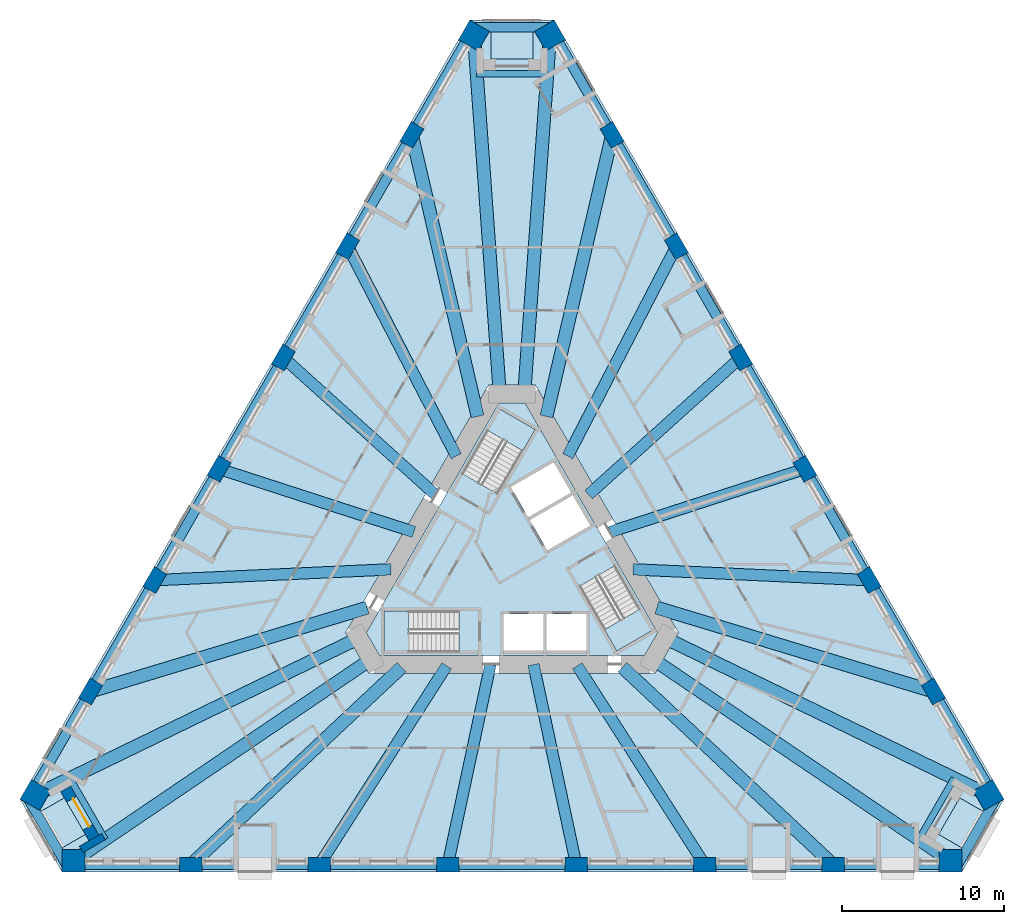
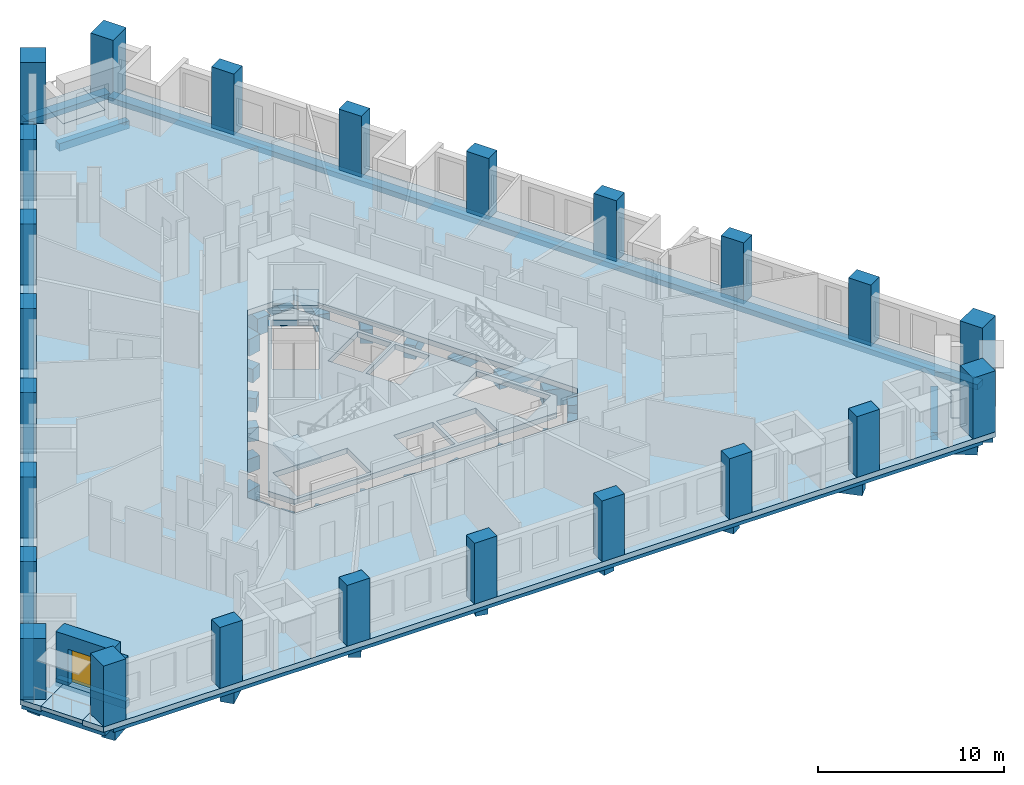
# One storey, part 1 of 14: 33 beams, 24 columns, 8 slabs, 2 walls, 1 door, 1 opening, 3 elements without a shape of their own.
"""IFC4 building model written with IfcOpenShell, lengths in metres."""

from ifc_helpers import new_model, si_unit, direction, frame, frame_2d, origin, origin_2d, place, context, subcontext, project, spatial, polyline, rectangle, outline, extrude, material, layer, layer_set, material_profile, profile_set, type_object, element, fill, aggregate, save


model = new_model("IFC4")

# Units and contexts
model_context = context("Model", 3, precision=1e-05, world=origin(), true_north=direction((0.0, 1.0)))
body_context = subcontext(model_context, "Body", "Model", "MODEL_VIEW")
ifc_project = project(units=[si_unit("LENGTHUNIT", "METRE"), si_unit("AREAUNIT", "SQUARE_METRE"), si_unit("VOLUMEUNIT", "CUBIC_METRE"), si_unit("PLANEANGLEUNIT", "RADIAN"), si_unit("MASSUNIT", "GRAM", prefix="KILO")], contexts=[model_context])

# Site, building, storey
site_placement = place(None, origin())
site = spatial("IfcSite", under=ifc_project, at=site_placement, CompositionType="ELEMENT")
building_placement = place(site_placement, origin())
building = spatial("IfcBuilding", under=site, at=building_placement, Name="Tramontana Tower", CompositionType="ELEMENT")
storey_placement = place(building_placement, frame((0.0, 0.0, 42.0)))
storey = spatial("IfcBuildingStorey", under=building, at=storey_placement, Name="L08", CompositionType="ELEMENT", Elevation=42.0)

# Columns
ifc_material_1 = material(Name="Concrete 70 MPa", Category="concrete")
ifc_material_profile_1 = material_profile(ifc_material_1, rectangle(XDim=1.39990234375, YDim=1.39990234375, at=origin_2d()), Name="Mega column 1400X1400 70 MPa")
ifc_profile_set_1 = profile_set([ifc_material_profile_1], Name="Concrete 70 MPa")
column_type_1 = type_object("IfcColumnType", Name="Mega column 1400X1400 70 MPa", PredefinedType="COLUMN", material=ifc_profile_set_1)
for number, where, z_axis, x_axis, name in (
    (1, (-2.341796875, 32.543701171875, 0.0), (0.0, 0.0, 1.0), (-0.5, -0.866025403784, 0.0), "Mega column C0K1 L08"),
    (2, (-29.354736328125, -14.243896484375, 0.0), (0.0, 0.0, 1.0), (-0.5, -0.866025403784, 0.0), "Mega column C0K2 L08"),
    (3, (-27.0126953125, -18.300048828125, 0.0), (0.0, 0.0, 1.0), (1.0, 0.0, 0.0), "Mega column C0K3 L08"),
    (4, (27.0126953125, -18.300048828125, 0.0), (0.0, 0.0, 1.0), (1.0, 0.0, 0.0), "Mega column C0K4 L08"),
    (5, (29.354736328125, -14.243896484375, 0.0), (0.0, 0.0, 1.0), (-0.5, 0.866025403784, 0.0), "Mega column C0K5 L08"),
    (6, (2.341796875, 32.543701171875, 0.0), (0.0, 0.0, 1.0), (-0.5, 0.866025403784, 0.0), "Mega column C0K6 L08"),
):
    element("IfcColumn", number, at=place(storey_placement, frame(where, z_axis=z_axis, x_axis=x_axis)), inside=storey, type_object=column_type_1, Name=name, PredefinedType="COLUMN", context=body_context, shape_type="SweptSolid", body=[
        extrude(rectangle(XDim=1.39990234375, YDim=1.39990234375, at=origin_2d()), origin(), (0.0, 0.0, 1.0), 4.0),
    ])
ifc_material_2 = material(Name="Concrete 55 MPa", Category="concrete")
ifc_material_profile_2 = material_profile(ifc_material_2, rectangle(XDim=1.39990234375, YDim=0.89990234375, at=origin_2d()), Name="Pier column 1400X900 55 MPa")
ifc_profile_set_2 = profile_set([ifc_material_profile_2], Name="Concrete 55 MPa")
column_type_2 = type_object("IfcColumnType", Name="Pier column 1400X900 55 MPa", PredefinedType="COLUMN", material=ifc_profile_set_2)
for number, where, z_axis, x_axis, name in (
    (7, (-6.167236328125, 26.41796875, 0.0), (0.0, 0.0, 1.0), (-0.5, -0.866025403784, 0.0), "Pier column C0F01 L08"),
    (8, (-10.126220703125, 19.560791015625, 0.0), (0.0, 0.0, 1.0), (-0.5, -0.866025403784, 0.0), "Pier column C0F02 L08"),
    (9, (-14.085205078125, 12.70361328125, 0.0), (0.0, 0.0, 1.0), (-0.5, -0.866025403784, 0.0), "Pier column C0F03 L08"),
    (10, (-18.044189453125, 5.846435546875, 0.0), (0.0, 0.0, 1.0), (-0.5, -0.866025403784, 0.0), "Pier column C0F04 L08"),
    (11, (-22.003173828125, -1.0107421875, 0.0), (0.0, 0.0, 1.0), (-0.5, -0.866025403784, 0.0), "Pier column C0F05 L08"),
    (12, (-25.962158203125, -7.867919921875, 0.0), (0.0, 0.0, 1.0), (-0.5, -0.866025403784, 0.0), "Pier column C0F06 L08"),
    (13, (-19.794921875, -18.550048828125, 0.0), (0.0, 0.0, 1.0), (1.0, 0.0, 0.0), "Pier column C0F07 L08"),
    (14, (-11.876953125, -18.550048828125, 0.0), (0.0, 0.0, 1.0), (1.0, 0.0, 0.0), "Pier column C0F08 L08"),
    (15, (-3.958984375, -18.550048828125, 0.0), (0.0, 0.0, 1.0), (1.0, 0.0, 0.0), "Pier column C0F09 L08"),
    (16, (3.958984375, -18.550048828125, 0.0), (0.0, 0.0, 1.0), (1.0, 0.0, 0.0), "Pier column C0F10 L08"),
    (17, (11.876953125, -18.550048828125, 0.0), (0.0, 0.0, 1.0), (1.0, 0.0, 0.0), "Pier column C0F11 L08"),
    (18, (19.794921875, -18.550048828125, 0.0), (0.0, 0.0, 1.0), (1.0, 0.0, 0.0), "Pier column C0F12 L08"),
    (19, (25.962158203125, -7.867919921875, 0.0), (0.0, 0.0, 1.0), (-0.5, 0.866025403784, 0.0), "Pier column C0F13 L08"),
    (20, (22.003173828125, -1.0107421875, 0.0), (0.0, 0.0, 1.0), (-0.5, 0.866025403784, 0.0), "Pier column C0F14 L08"),
    (21, (18.044189453125, 5.846435546875, 0.0), (0.0, 0.0, 1.0), (-0.5, 0.866025403784, 0.0), "Pier column C0F15 L08"),
    (22, (14.085205078125, 12.70361328125, 0.0), (0.0, 0.0, 1.0), (-0.5, 0.866025403784, 0.0), "Pier column C0F16 L08"),
    (23, (10.126220703125, 19.560791015625, 0.0), (0.0, 0.0, 1.0), (-0.5, 0.866025403784, 0.0), "Pier column C0F17 L08"),
    (24, (6.167236328125, 26.41796875, 0.0), (0.0, 0.0, 1.0), (-0.5, 0.866025403784, 0.0), "Pier column C0F18 L08"),
):
    element("IfcColumn", number, at=place(storey_placement, frame(where, z_axis=z_axis, x_axis=x_axis)), inside=storey, type_object=column_type_2, Name=name, PredefinedType="COLUMN", context=body_context, shape_type="SweptSolid", body=[
        extrude(rectangle(XDim=1.39990234375, YDim=0.89990234375, at=origin_2d()), origin(), (0.0, 0.0, 1.0), 4.0),
    ])

# Beams
ifc_material_3 = material(Name="Concrete 40 MPa", Category="concrete")
ifc_material_profile_3 = material_profile(ifc_material_3, rectangle(XDim=0.60009765625, YDim=0.35009765625, at=origin_2d()), Name="RC EDGE BEAM 600X350 40 MPa")
ifc_profile_set_3 = profile_set([ifc_material_profile_3], Name="Concrete 40 MPa")
beam_type_1 = type_object("IfcBeamType", Name="RC EDGE BEAM 600X350 40 MPa", PredefinedType="SPANDREL", material=ifc_profile_set_3)
beam_1_placement = place(storey_placement, frame((-2.558349609375, 32.668701171875, -0.52490234375), z_axis=(-0.500001490283, -0.866024543367, 0.0), x_axis=(0.866024543367, -0.500001490283, 0.0)))
element("IfcBeam", 25, at=beam_1_placement, inside=storey, type_object=beam_type_1, Name="Spandrel beam S0 L08", PredefinedType="SPANDREL", context=body_context, shape_type="SweptSolid", body=[
    extrude(rectangle(XDim=0.60009765625, YDim=0.35009765625, at=origin_2d()), origin(), (0.0, 0.0, 1.0), 54.025634765625),
])
beam_2_placement = place(storey_placement, frame((-27.0126953125, -18.550048828125, -0.52490234375), z_axis=(1.0, 0.0, 0.0), x_axis=(0.0, 1.0, 0.0)))
element("IfcBeam", 26, at=beam_2_placement, inside=storey, type_object=beam_type_1, Name="Spandrel beam S1 L08", PredefinedType="SPANDREL", context=body_context, shape_type="SweptSolid", body=[
    extrude(rectangle(XDim=0.60009765625, YDim=0.35009765625, at=origin_2d()), origin(), (0.0, 0.0, 1.0), 54.025390625),
])
beam_3_placement = place(storey_placement, frame((29.5712890625, -14.118896484375, -0.52490234375), z_axis=(-0.500001490283, 0.866024543367, 0.0), x_axis=(-0.866024543367, -0.500001490283, 0.0)))
element("IfcBeam", 27, at=beam_3_placement, inside=storey, type_object=beam_type_1, Name="Spandrel beam S2 L08", PredefinedType="SPANDREL", context=body_context, shape_type="SweptSolid", body=[
    extrude(rectangle(XDim=0.60009765625, YDim=0.35009765625, at=origin_2d()), origin(), (0.0, 0.0, 1.0), 54.025634765625),
])
for number, where, z_axis, x_axis, name in (
    (28, (2.59814453125, 33.050048828125, -0.52490234375), (-1.0, 0.0, 0.0), (0.0, -1.0, 0.0), "Spandrel beam K0 L08"),
    (29, (-29.921142578125, -14.27490234375, -0.52490234375), (0.50000986103, -0.866019710441, 0.0), (0.866019710441, 0.50000986103, 0.0), "Spandrel beam K1 L08"),
    (30, (27.322998046875, -18.77490234375, -0.52490234375), (0.50000986103, 0.866019710441, 0.0), (-0.866019710441, 0.50000986103, 0.0), "Spandrel beam K2 L08"),
):
    element("IfcBeam", number, at=place(storey_placement, frame(where, z_axis=z_axis, x_axis=x_axis)), inside=storey, type_object=beam_type_1, Name=name, PredefinedType="SPANDREL", context=body_context, shape_type="SweptSolid", body=[
        extrude(rectangle(XDim=0.60009765625, YDim=0.35009765625, at=origin_2d()), origin(), (0.0, 0.0, 1.0), 5.1962890625),
    ])
ifc_material_4 = material(Name="Concrete 40 MPa", Category="concrete")
ifc_material_profile_4 = material_profile(ifc_material_4, rectangle(XDim=0.699951171875, YDim=0.89990234375, at=origin_2d()), Name="RC GIRDER 700X900 40 MPa")
ifc_profile_set_4 = profile_set([ifc_material_profile_4], Name="Concrete 40 MPa")
beam_type_2 = type_object("IfcBeamType", Name="RC GIRDER 700X900 40 MPa", PredefinedType="BEAM", material=ifc_profile_set_4)
beam_4_placement = place(storey_placement, frame((-10.126220703125, 19.560791015625, -0.800048828125), z_axis=(0.459730770714, -0.88805834181, 0.0), x_axis=(0.88805834181, 0.459730770714, 0.0)))
element("IfcBeam", 31, at=beam_4_placement, inside=storey, type_object=beam_type_2, Name="Radial girder C0F02 L08", PredefinedType="BEAM", context=body_context, shape_type="SweptSolid", body=[
    extrude(rectangle(XDim=0.699951171875, YDim=0.89990234375, at=origin_2d()), origin(), (0.0, 0.0, 1.0), 14.5615234375),
])
beam_5_placement = place(storey_placement, frame((-14.085205078125, 12.70361328125, -0.800048828125), z_axis=(0.742588406407, -0.669748056116, 0.0), x_axis=(0.669748056116, 0.742588406407, 0.0)))
element("IfcBeam", 32, at=beam_5_placement, inside=storey, type_object=beam_type_2, Name="Radial girder C0F03 L08", PredefinedType="BEAM", context=body_context, shape_type="SweptSolid", body=[
    extrude(rectangle(XDim=0.699951171875, YDim=0.89990234375, at=origin_2d()), origin(), (0.0, 0.0, 1.0), 12.615966796875),
])
beam_6_placement = place(storey_placement, frame((-18.044189453125, 5.846435546875, -0.800048828125), z_axis=(0.951314408854, -0.30822215285, 0.0), x_axis=(0.30822215285, 0.951314408854, 0.0)))
element("IfcBeam", 33, at=beam_6_placement, inside=storey, type_object=beam_type_2, Name="Radial girder C0F04 L08", PredefinedType="BEAM", context=body_context, shape_type="SweptSolid", body=[
    extrude(rectangle(XDim=0.699951171875, YDim=0.89990234375, at=origin_2d()), origin(), (0.0, 0.0, 1.0), 12.61572265625),
])
for number, where, z_axis, x_axis, name in (
    (34, (-22.003173828125, -1.0107421875, -0.800048828125), (0.998946541736, 0.045889070085, 0.0), (-0.045889070085, 0.998946541736, 0.0), "Radial girder C0F05 L08"),
    (35, (-11.876953125, -18.550048828125, -0.800048828125), (0.539217827497, 0.84216633423, 0.0), (-0.84216633423, 0.539217827497, 0.0), "Radial girder C0F08 L08"),
):
    element("IfcBeam", number, at=place(storey_placement, frame(where, z_axis=z_axis, x_axis=x_axis)), inside=storey, type_object=beam_type_2, Name=name, PredefinedType="BEAM", context=body_context, shape_type="SweptSolid", body=[
        extrude(rectangle(XDim=0.699951171875, YDim=0.89990234375, at=origin_2d()), origin(), (0.0, 0.0, 1.0), 14.5615234375),
    ])
for number, where, z_axis, x_axis, name in (
    (36, (-3.958984375, -18.550048828125, -0.800048828125), (0.208730772127, 0.977973141128, 0.0), (-0.977973141128, 0.208730772127, 0.0), "Radial girder C0F09 L08"),
    (37, (3.958984375, -18.550048828125, -0.800048828125), (-0.208730772127, 0.977973141128, 0.0), (-0.977973141128, -0.208730772127, 0.0), "Radial girder C0F10 L08"),
):
    element("IfcBeam", number, at=place(storey_placement, frame(where, z_axis=z_axis, x_axis=x_axis)), inside=storey, type_object=beam_type_2, Name=name, PredefinedType="BEAM", context=body_context, shape_type="SweptSolid", body=[
        extrude(rectangle(XDim=0.699951171875, YDim=0.89990234375, at=origin_2d()), origin(), (0.0, 0.0, 1.0), 12.61572265625),
    ])
for number, where, z_axis, x_axis, name in (
    (38, (11.876953125, -18.550048828125, -0.800048828125), (-0.539217827497, 0.84216633423, 0.0), (-0.84216633423, -0.539217827497, 0.0), "Radial girder C0F11 L08"),
    (39, (22.003173828125, -1.0107421875, -0.800048828125), (-0.998946541736, 0.045889070085, 0.0), (-0.045889070085, -0.998946541736, 0.0), "Radial girder C0F14 L08"),
):
    element("IfcBeam", number, at=place(storey_placement, frame(where, z_axis=z_axis, x_axis=x_axis)), inside=storey, type_object=beam_type_2, Name=name, PredefinedType="BEAM", context=body_context, shape_type="SweptSolid", body=[
        extrude(rectangle(XDim=0.699951171875, YDim=0.89990234375, at=origin_2d()), origin(), (0.0, 0.0, 1.0), 14.5615234375),
    ])
beam_7_placement = place(storey_placement, frame((18.044189453125, 5.846435546875, -0.800048828125), z_axis=(-0.951314408854, -0.30822215285, 0.0), x_axis=(0.30822215285, -0.951314408854, 0.0)))
element("IfcBeam", 40, at=beam_7_placement, inside=storey, type_object=beam_type_2, Name="Radial girder C0F15 L08", PredefinedType="BEAM", context=body_context, shape_type="SweptSolid", body=[
    extrude(rectangle(XDim=0.699951171875, YDim=0.89990234375, at=origin_2d()), origin(), (0.0, 0.0, 1.0), 12.61572265625),
])
beam_8_placement = place(storey_placement, frame((14.085205078125, 12.70361328125, -0.800048828125), z_axis=(-0.742588406407, -0.669748056116, 0.0), x_axis=(0.669748056116, -0.742588406407, 0.0)))
element("IfcBeam", 41, at=beam_8_placement, inside=storey, type_object=beam_type_2, Name="Radial girder C0F16 L08", PredefinedType="BEAM", context=body_context, shape_type="SweptSolid", body=[
    extrude(rectangle(XDim=0.699951171875, YDim=0.89990234375, at=origin_2d()), origin(), (0.0, 0.0, 1.0), 12.615966796875),
])
beam_9_placement = place(storey_placement, frame((10.126220703125, 19.560791015625, -0.800048828125), z_axis=(-0.459730770714, -0.88805834181, 0.0), x_axis=(0.88805834181, -0.459730770714, 0.0)))
element("IfcBeam", 42, at=beam_9_placement, inside=storey, type_object=beam_type_2, Name="Radial girder C0F17 L08", PredefinedType="BEAM", context=body_context, shape_type="SweptSolid", body=[
    extrude(rectangle(XDim=0.699951171875, YDim=0.89990234375, at=origin_2d()), origin(), (0.0, 0.0, 1.0), 14.5615234375),
])
ifc_material_5 = material(Name="Concrete 40 MPa", Category="concrete")
ifc_material_profile_5 = material_profile(ifc_material_5, rectangle(XDim=0.800048828125, YDim=1.10009765625, at=origin_2d()), Name="RC GIRDER 800X1100 40 MPa")
ifc_profile_set_5 = profile_set([ifc_material_profile_5], Name="Concrete 40 MPa")
beam_type_3 = type_object("IfcBeamType", Name="RC GIRDER 800X1100 40 MPa", PredefinedType="BEAM", material=ifc_profile_set_5)
beam_10_placement = place(storey_placement, frame((-2.341796875, 32.543701171875, -0.89990234375), z_axis=(0.071767165612, -0.997421412413, 0.0), x_axis=(0.997421412413, 0.071767165612, 0.0)))
element("IfcBeam", 43, at=beam_10_placement, inside=storey, type_object=beam_type_3, Name="Radial girder C0K1 L08", PredefinedType="BEAM", context=body_context, shape_type="SweptSolid", body=[
    extrude(rectangle(XDim=0.800048828125, YDim=1.10009765625, at=origin_2d()), origin(), (0.0, 0.0, 1.0), 22.1494140625),
])
beam_11_placement = place(storey_placement, frame((-6.167236328125, 26.41796875, -0.89990234375), z_axis=(0.227334068495, -0.973816831494, 0.0), x_axis=(0.973816831494, 0.227334068495, 0.0)))
element("IfcBeam", 44, at=beam_11_placement, inside=storey, type_object=beam_type_3, Name="Radial girder C0F01 L08", PredefinedType="BEAM", context=body_context, shape_type="SweptSolid", body=[
    extrude(rectangle(XDim=0.800048828125, YDim=1.10009765625, at=origin_2d()), origin(), (0.0, 0.0, 1.0), 17.806884765625),
])
beam_12_placement = place(storey_placement, frame((-25.962158203125, -7.867919921875, -0.89990234375), z_axis=(0.95701990712, 0.290022236004, 0.0), x_axis=(-0.290022236004, 0.95701990712, 0.0)))
element("IfcBeam", 45, at=beam_12_placement, inside=storey, type_object=beam_type_3, Name="Radial girder C0F06 L08", PredefinedType="BEAM", context=body_context, shape_type="SweptSolid", body=[
    extrude(rectangle(XDim=0.800048828125, YDim=1.10009765625, at=origin_2d()), origin(), (0.0, 0.0, 1.0), 17.806640625),
])
beam_13_placement = place(storey_placement, frame((-29.354736328125, -14.243896484375, -0.89990234375), z_axis=(0.899679009302, 0.436552036098, 0.0), x_axis=(-0.436552036098, 0.899679009302, 0.0)))
element("IfcBeam", 46, at=beam_13_placement, inside=storey, type_object=beam_type_3, Name="Radial girder C0K2 L08", PredefinedType="BEAM", context=body_context, shape_type="SweptSolid", body=[
    extrude(rectangle(XDim=0.800048828125, YDim=1.10009765625, at=origin_2d()), origin(), (0.0, 0.0, 1.0), 22.149658203125),
])
beam_14_placement = place(storey_placement, frame((-27.0126953125, -18.300048828125, -0.89990234375), z_axis=(0.827898052271, 0.560878609903, 0.0), x_axis=(-0.560878609903, 0.827898052271, 0.0)))
element("IfcBeam", 47, at=beam_14_placement, inside=storey, type_object=beam_type_3, Name="Radial girder C0K3 L08", PredefinedType="BEAM", context=body_context, shape_type="SweptSolid", body=[
    extrude(rectangle(XDim=0.800048828125, YDim=1.10009765625, at=origin_2d()), origin(), (0.0, 0.0, 1.0), 22.1494140625),
])
for number, where, z_axis, x_axis, name in (
    (48, (-19.794921875, -18.550048828125, -0.89990234375), (0.72967229952, 0.683796998614, 0.0), (-0.683796998614, 0.72967229952, 0.0), "Radial girder C0F07 L08"),
    (49, (19.794921875, -18.550048828125, -0.89990234375), (-0.72967229952, 0.683796998614, 0.0), (-0.683796998614, -0.72967229952, 0.0), "Radial girder C0F12 L08"),
):
    element("IfcBeam", number, at=place(storey_placement, frame(where, z_axis=z_axis, x_axis=x_axis)), inside=storey, type_object=beam_type_3, Name=name, PredefinedType="BEAM", context=body_context, shape_type="SweptSolid", body=[
        extrude(rectangle(XDim=0.800048828125, YDim=1.10009765625, at=origin_2d()), origin(), (0.0, 0.0, 1.0), 17.806884765625),
    ])
beam_15_placement = place(storey_placement, frame((27.0126953125, -18.300048828125, -0.89990234375), z_axis=(-0.827898052271, 0.560878609903, 0.0), x_axis=(-0.560878609903, -0.827898052271, 0.0)))
element("IfcBeam", 50, at=beam_15_placement, inside=storey, type_object=beam_type_3, Name="Radial girder C0K4 L08", PredefinedType="BEAM", context=body_context, shape_type="SweptSolid", body=[
    extrude(rectangle(XDim=0.800048828125, YDim=1.10009765625, at=origin_2d()), origin(), (0.0, 0.0, 1.0), 22.1494140625),
])
beam_16_placement = place(storey_placement, frame((29.354736328125, -14.243896484375, -0.89990234375), z_axis=(-0.899679009302, 0.436552036098, 0.0), x_axis=(-0.436552036098, -0.899679009302, 0.0)))
element("IfcBeam", 51, at=beam_16_placement, inside=storey, type_object=beam_type_3, Name="Radial girder C0K5 L08", PredefinedType="BEAM", context=body_context, shape_type="SweptSolid", body=[
    extrude(rectangle(XDim=0.800048828125, YDim=1.10009765625, at=origin_2d()), origin(), (0.0, 0.0, 1.0), 22.149658203125),
])
beam_17_placement = place(storey_placement, frame((25.962158203125, -7.867919921875, -0.89990234375), z_axis=(-0.95701990712, 0.290022236004, 0.0), x_axis=(-0.290022236004, -0.95701990712, 0.0)))
element("IfcBeam", 52, at=beam_17_placement, inside=storey, type_object=beam_type_3, Name="Radial girder C0F13 L08", PredefinedType="BEAM", context=body_context, shape_type="SweptSolid", body=[
    extrude(rectangle(XDim=0.800048828125, YDim=1.10009765625, at=origin_2d()), origin(), (0.0, 0.0, 1.0), 17.806640625),
])
beam_18_placement = place(storey_placement, frame((6.167236328125, 26.41796875, -0.89990234375), z_axis=(-0.227334068495, -0.973816831494, 0.0), x_axis=(0.973816831494, -0.227334068495, 0.0)))
element("IfcBeam", 53, at=beam_18_placement, inside=storey, type_object=beam_type_3, Name="Radial girder C0F18 L08", PredefinedType="BEAM", context=body_context, shape_type="SweptSolid", body=[
    extrude(rectangle(XDim=0.800048828125, YDim=1.10009765625, at=origin_2d()), origin(), (0.0, 0.0, 1.0), 17.806884765625),
])
beam_19_placement = place(storey_placement, frame((2.341796875, 32.543701171875, -0.89990234375), z_axis=(-0.071767165612, -0.997421412413, 0.0), x_axis=(0.997421412413, -0.071767165612, 0.0)))
element("IfcBeam", 54, at=beam_19_placement, inside=storey, type_object=beam_type_3, Name="Radial girder C0K6 L08", PredefinedType="BEAM", context=body_context, shape_type="SweptSolid", body=[
    extrude(rectangle(XDim=0.800048828125, YDim=1.10009765625, at=origin_2d()), origin(), (0.0, 0.0, 1.0), 22.1494140625),
])
ifc_material_6 = material(Name="Concrete 40 MPa", Category="concrete")
ifc_material_profile_6 = material_profile(ifc_material_6, rectangle(XDim=0.39990234375, YDim=0.5, at=origin_2d()), Name="RC TRIM BEAM 400X500 40 MPa")
ifc_profile_set_6 = profile_set([ifc_material_profile_6], Name="Concrete 40 MPa")
beam_type_4 = type_object("IfcBeamType", Name="RC TRIM BEAM 400X500 40 MPa", PredefinedType="JOIST", material=ifc_profile_set_6)
for number, where, z_axis, x_axis, name in (
    (55, (2.173095703125, 30.199951171875, -0.60009765625), (-1.0, 0.0, 0.0), (0.0, -1.0, 0.0), "Trimmer beam K0 L08"),
    (56, (-27.240478515625, -13.218017578125, -0.60009765625), (0.499999616612, -0.866025625133, 0.0), (0.866025625133, 0.499999616612, 0.0), "Trimmer beam K1 L08"),
    (57, (25.0673828125, -16.98193359375, -0.60009765625), (0.499999616612, 0.866025625133, 0.0), (-0.866025625133, 0.499999616612, 0.0), "Trimmer beam K2 L08"),
):
    element("IfcBeam", number, at=place(storey_placement, frame(where, z_axis=z_axis, x_axis=x_axis)), inside=storey, type_object=beam_type_4, Name=name, PredefinedType="JOIST", context=body_context, shape_type="SweptSolid", body=[
        extrude(rectangle(XDim=0.39990234375, YDim=0.5, at=origin_2d()), origin(), (0.0, 0.0, 1.0), 4.34619140625),
    ])

# Slabs
ifc_material_7 = material(Name="Precast concrete 50 MPa", Category="concrete")
ifc_layer_1 = layer(ifc_material_7, 0.25)
ifc_layer_set_1 = layer_set([ifc_layer_1], Name="LT1 Loggia floor tray 250")
slab_type_1 = type_object("IfcSlabType", Name="LT1 Loggia floor tray 250", PredefinedType="FLOOR", material=ifc_layer_set_1)
slab_1_placement = place(storey_placement, frame((0.0, 0.0, -0.25)))
element("IfcSlab", 58, at=slab_1_placement, inside=storey, type_object=slab_type_1, Name="Corner loggia floor L08 K00", PredefinedType="FLOOR", context=body_context, shape_type="SweptSolid", body=[
    extrude(outline(polyline([(1.300048828125, 33.5), (1.300048828125, 31.10009765625), (-1.300048828125, 31.10009765625), (-1.300048828125, 33.5), (1.300048828125, 33.5)])), origin(), (0.0, 0.0, 1.0), 0.25),
])
slab_2_placement = place(storey_placement, frame((0.0, 0.0, -0.25)))
element("IfcSlab", 59, at=slab_2_placement, inside=storey, type_object=slab_type_1, Name="Corner loggia floor L08 K01", PredefinedType="FLOOR", context=body_context, shape_type="SweptSolid", body=[
    extrude(outline(polyline([(-29.661865234375, -15.624267578125), (-27.58349609375, -14.424072265625), (-26.283447265625, -16.67578125), (-28.36181640625, -17.875732421875), (-29.661865234375, -15.624267578125)])), origin(), (0.0, 0.0, 1.0), 0.25),
])
slab_3_placement = place(storey_placement, frame((0.0, 0.0, -0.25)))
element("IfcSlab", 60, at=slab_3_placement, inside=storey, type_object=slab_type_1, Name="Corner loggia floor L08 K02", PredefinedType="FLOOR", context=body_context, shape_type="SweptSolid", body=[
    extrude(outline(polyline([(28.36181640625, -17.875732421875), (26.283447265625, -16.67578125), (27.58349609375, -14.424072265625), (29.661865234375, -15.624267578125), (28.36181640625, -17.875732421875)])), origin(), (0.0, 0.0, 1.0), 0.25),
])
ifc_material_8 = material(Name="Concrete 40 MPa", Category="concrete")
ifc_layer_2 = layer(ifc_material_8, 0.35009765625)
ifc_layer_set_2 = layer_set([ifc_layer_2], Name="PT FLAT SLAB 350 40 MPa")
slab_type_2 = type_object("IfcSlabType", Name="PT FLAT SLAB 350 40 MPa", PredefinedType="FLOOR", material=ifc_layer_set_2)
slab_4_placement = place(storey_placement, frame((0.0, 0.0, -0.35009765625)))
element("IfcSlab", 61, at=slab_4_placement, inside=storey, type_object=slab_type_2, Name="Floor slab L08", PredefinedType="FLOOR", context=body_context, shape_type="SweptSolid", body=[
    extrude(outline(polyline([(29.661865234375, -15.624267578125), (27.58349609375, -14.42431640625), (26.283447265625, -16.67578125), (28.36181640625, -17.875732421875), (27.712890625, -19.0), (-27.712890625, -19.0), (-28.36181640625, -17.875732421875), (-26.283447265625, -16.67578125), (-27.58349609375, -14.42431640625), (-29.661865234375, -15.624267578125), (-30.310791015625, -14.5), (-2.59814453125, 33.5), (-1.300048828125, 33.5), (-1.300048828125, 31.10009765625), (1.300048828125, 31.10009765625), (1.300048828125, 33.5), (2.59814453125, 33.5), (30.310791015625, -14.5), (29.661865234375, -15.624267578125)]), holes=[polyline([(-10.248046875, -4.25), (-8.8046875, -6.75), (8.8046875, -6.75), (10.248046875, -4.25), (1.443359375, 11.0), (-1.443359375, 11.0), (-10.248046875, -4.25)])]), origin(), (0.0, 0.0, 1.0), 0.35009765625),
])
slab_5_placement = place(storey_placement, frame((0.0, 0.0, -0.35009765625)))
element("IfcSlab", 62, at=slab_5_placement, inside=storey, type_object=slab_type_2, Name="Core floor slab L08", PredefinedType="FLOOR", context=body_context, shape_type="SweptSolid", body=[
    extrude(outline(polyline([(8.977783203125, -4.25), (8.16943359375, -5.64990234375), (-8.16943359375, -5.64990234375), (-8.977783203125, -4.25), (-0.808349609375, 9.89990234375), (0.808349609375, 9.89990234375), (8.977783203125, -4.25)]), holes=[polyline([(8.659912109375, -4.099365234375), (6.35986328125, -0.115478515625), (4.151611328125, -1.390625), (6.451416015625, -5.374267578125), (8.659912109375, -4.099365234375)]), polyline([(3.829833984375, 4.2666015625), (1.101806640625, 2.69140625), (2.177001953125, 0.82958984375), (4.90478515625, 2.404541015625), (3.829833984375, 4.2666015625)]), polyline([(4.590087890625, -3.10009765625), (2.139892578125, -3.10009765625), (2.139892578125, -5.449951171875), (4.590087890625, -5.449951171875), (4.590087890625, -3.10009765625)]), polyline([(2.65478515625, 6.3017578125), (-0.072998046875, 4.726806640625), (1.001953125, 2.86474609375), (3.729736328125, 4.439697265625), (2.65478515625, 6.3017578125)]), polyline([(1.93994140625, -5.449951171875), (1.93994140625, -3.10009765625), (-0.510009765625, -3.10009765625), (-0.510009765625, -5.449951171875), (1.93994140625, -5.449951171875)]), polyline([(-0.77978515625, 9.54931640625), (-3.079833984375, 5.565673828125), (-0.87158203125, 4.29052734375), (1.428466796875, 8.2744140625), (-0.77978515625, 9.54931640625)]), polyline([(-7.8798828125, -5.449951171875), (-3.280029296875, -5.449951171875), (-3.280029296875, -2.89990234375), (-7.8798828125, -2.89990234375), (-7.8798828125, -5.449951171875)])]), origin(), (0.0, 0.0, 1.0), 0.35009765625),
])

# Stair, slab
ifc_material_9 = material(Name="Concrete 40 MPa", Category="concrete")
stair_type = type_object("IfcStairType", Name="EXIT STAIR 24 RISERS", PredefinedType="HALF_TURN_STAIR", material=ifc_material_9)
stair_1_placement = place(storey_placement, origin())
stair_1 = element("IfcStair", 63, at=stair_1_placement, inside=storey, type_object=stair_type, Name="L08 Exit stair ST1", PredefinedType="HALF_TURN_STAIR")
ifc_material_10 = material(Name="Concrete 40 MPa", Category="concrete")
ifc_layer_3 = layer(ifc_material_10, 0.199951171875)
ifc_layer_set_3 = layer_set([ifc_layer_3], Name="STAIR LANDING 200")
slab_type_3 = type_object("IfcSlabType", Name="STAIR LANDING 200", PredefinedType="LANDING", material=ifc_layer_set_3)
slab_6_placement = place(storey_placement, frame((0.0, 0.0, 1.800048828125)))
slab_6 = element("IfcSlab", 64, at=slab_6_placement, type_object=slab_type_3, Name="ST1 landing 1", PredefinedType="LANDING", context=body_context, shape_type="SweptSolid", body=[
    extrude(outline(polyline([(0.66845703125, 6.9580078125), (1.428466796875, 8.274169921875), (-0.77978515625, 9.54931640625), (-1.539794921875, 8.23291015625), (0.66845703125, 6.9580078125)])), origin(), (0.0, 0.0, 1.0), 0.199951171875),
])
aggregate(stair_1, [slab_6])

stair_2_placement = place(storey_placement, origin())
stair_2 = element("IfcStair", 65, at=stair_2_placement, inside=storey, type_object=stair_type, Name="L08 Exit stair ST2", PredefinedType="HALF_TURN_STAIR")
slab_7_placement = place(storey_placement, frame((0.0, 0.0, 1.800048828125)))
slab_7 = element("IfcSlab", 66, at=slab_7_placement, type_object=slab_type_3, Name="ST2 landing 1", PredefinedType="LANDING", context=body_context, shape_type="SweptSolid", body=[
    extrude(outline(polyline([(-6.360107421875, -2.89990234375), (-7.8798828125, -2.89990234375), (-7.8798828125, -5.449951171875), (-6.360107421875, -5.449951171875), (-6.360107421875, -2.89990234375)])), origin(), (0.0, 0.0, 1.0), 0.199951171875),
])
aggregate(stair_2, [slab_7])

stair_3_placement = place(storey_placement, origin())
stair_3 = element("IfcStair", 67, at=stair_3_placement, inside=storey, type_object=stair_type, Name="L08 Exit stair ST3", PredefinedType="HALF_TURN_STAIR")
slab_8_placement = place(storey_placement, frame((0.0, 0.0, 1.800048828125)))
slab_8 = element("IfcSlab", 68, at=slab_8_placement, type_object=slab_type_3, Name="ST3 landing 1", PredefinedType="LANDING", context=body_context, shape_type="SweptSolid", body=[
    extrude(outline(polyline([(5.69140625, -4.057861328125), (6.451416015625, -5.374267578125), (8.659912109375, -4.099365234375), (7.89990234375, -2.782958984375), (5.69140625, -4.057861328125)])), origin(), (0.0, 0.0, 1.0), 0.199951171875),
])
aggregate(stair_3, [slab_8])

# Wall
ifc_material_11 = material(Name="Precast concrete 60 MPa", Category="concrete")
ifc_layer_4 = layer(ifc_material_11, 0.449951171875)
ifc_layer_set_4 = layer_set([ifc_layer_4], Name="Precast concrete 60 MPa, 450 mm")
wall_type_1 = type_object("IfcWallType", Name="EW1 Stone-faced precast wall 450", PredefinedType="SOLIDWALL", material=ifc_layer_set_4)
wall_1_placement = place(storey_placement, frame((-26.5341796875, -17.60009765625, 0.0), z_axis=(0.0, 0.0, 1.0), x_axis=(0.86597962928, 0.500079275387, 0.0)))
element("IfcWall", 69, at=wall_1_placement, inside=storey, type_object=wall_type_1, Name="Corner loggia side wall L08 K01l", PredefinedType="SOLIDWALL", context=body_context, shape_type="SweptSolid", body=[
    extrude(rectangle(XDim=1.579345703125, YDim=0.449951171875, at=frame_2d((0.78955078125, 0.0))), origin(), (0.0, 0.0, 1.0), 2.550048828125),
])

# Wall, opening, door
ifc_material_12 = material(Name="Precast concrete 60 MPa", Category="concrete")
ifc_layer_5 = layer(ifc_material_12, 0.89990234375)
ifc_layer_set_5 = layer_set([ifc_layer_5], Name="EW2 Stone-faced corner loggia wall 900")
wall_type_2 = type_object("IfcWallType", Name="EW2 Stone-faced corner loggia wall 900", PredefinedType="SOLIDWALL", material=ifc_layer_set_5)
wall_2_placement = place(storey_placement, frame((-25.668701171875, -16.840576171875, 0.0), z_axis=(0.0, 0.0, 1.0), x_axis=(-0.500010275428, 0.866019471182, 0.0)))
wall_2 = element("IfcWall", 70, at=wall_2_placement, inside=storey, type_object=wall_type_2, Name="Corner loggia wall L08 K01", PredefinedType="SOLIDWALL", context=body_context, shape_type="SweptSolid", body=[
    extrude(rectangle(XDim=3.5, YDim=0.89990234375, at=frame_2d((1.75, 0.0))), origin(), (0.0, 0.0, 1.0), 3.300048828125),
])
opening_placement = place(wall_2_placement, frame((0.75, 0.0, 0.0)))
opening = element("IfcOpeningElement", 71, at=opening_placement, cuts=wall_2, Name="Opening BD-01C", PredefinedType="OPENING", context=body_context, shape_type="SweptSolid", body=[
    extrude(rectangle(XDim=2.0, YDim=2.39990234375, at=frame_2d((1.0, 1.199951171875))), frame((0.0, 0.4599609375, 0.0), z_axis=(0.0, -1.0, 0.0), x_axis=(1.0, 0.0, 0.0)), (0.0, 0.0, 1.0), 0.919921875),
])
ifc_material_13 = material(Name="Aluminum frame, double glazing unit", Category="aluminium")
door_type = type_object("IfcDoorType", Name="BC1 Sliding door 2 x 2.4", OperationType="SLIDING_TO_LEFT", PredefinedType="DOOR", material=ifc_material_13)
door_placement = place(opening_placement, origin())
door = element("IfcDoor", 72, at=door_placement, inside=storey, type_object=door_type, Name="Corner loggia door L08 K01", OperationType="SLIDING_TO_LEFT", OverallHeight=2.39990234375, OverallWidth=2.0, PredefinedType="DOOR", context=body_context, shape_type="SweptSolid", body=[
    extrude(rectangle(XDim=2.0, YDim=2.39990234375, at=frame_2d((1.0, 1.199951171875))), frame((0.0, 0.02490234375, 0.0), z_axis=(0.0, -1.0, 0.0), x_axis=(1.0, 0.0, 0.0)), (0.0, 0.0, 1.0), 0.050048828125),
])
fill(opening, door)

save(model, "model.ifc")
